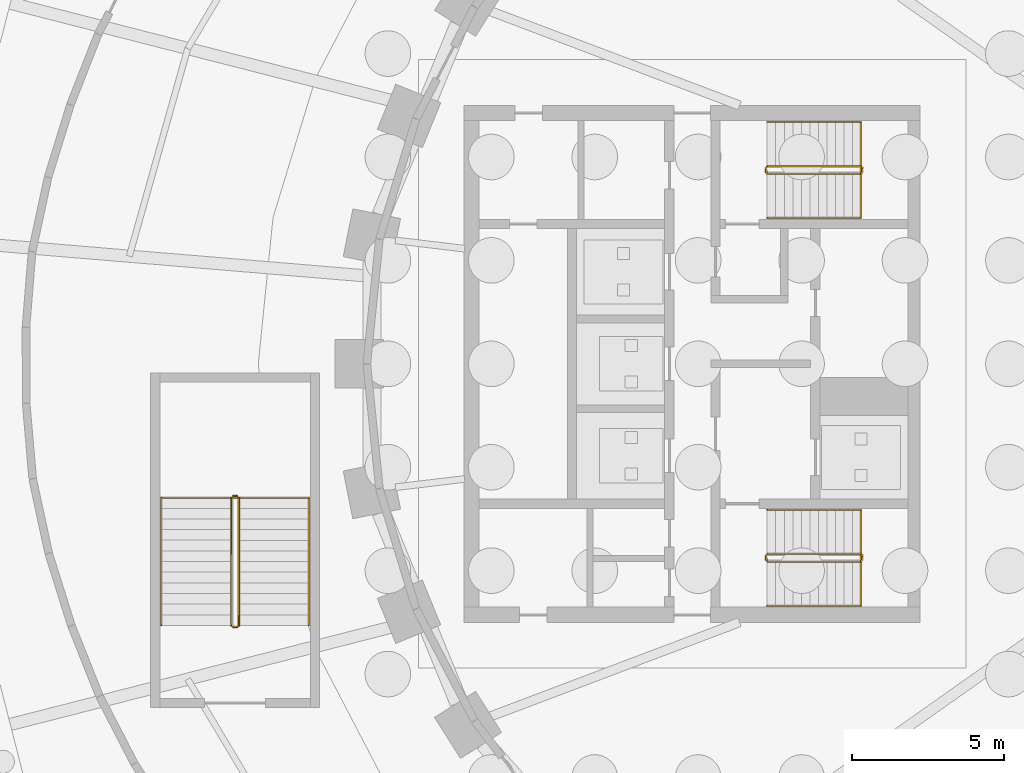
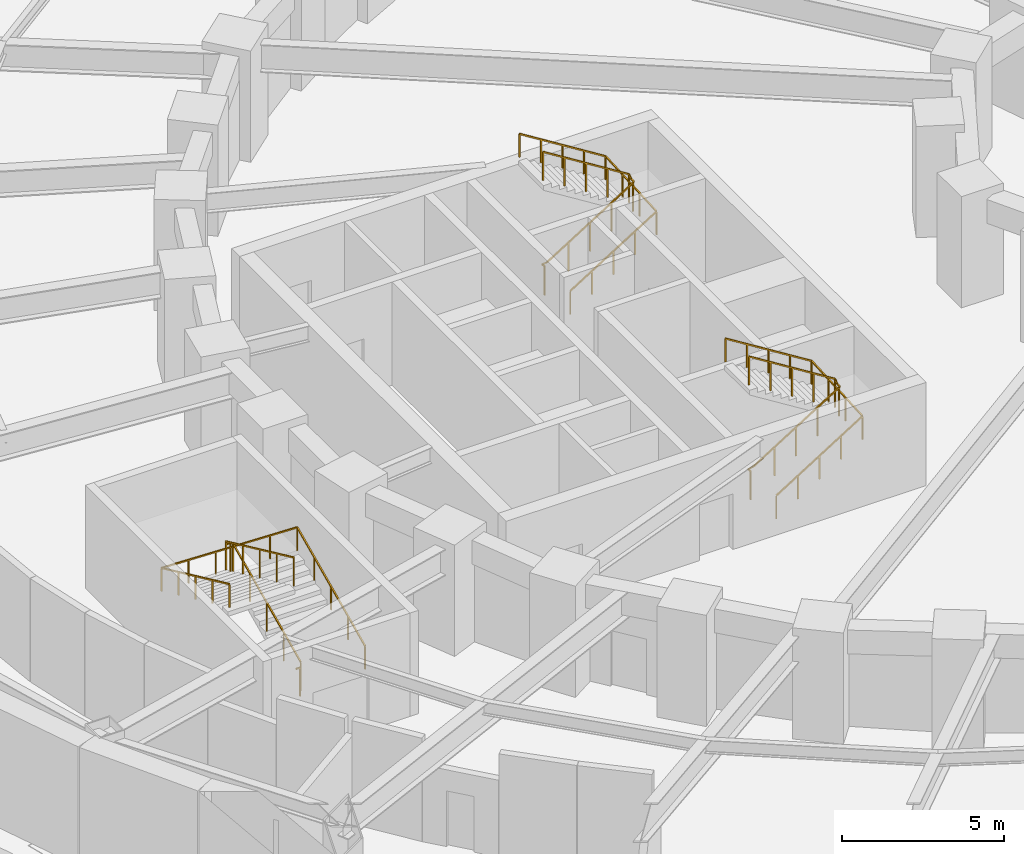
# One storey, part 17 of 19: 9 railings.
"""IFC4 building model written with IfcOpenShell, lengths in metres."""

from ifc_helpers import new_model, si_unit, direction, frame, origin, origin_2d, place, context, subcontext, project, spatial, rectangle, extrude, material, type_object, element, save


model = new_model("IFC4")

# Units and contexts
model_context = context("Model", 3, precision=1e-05, world=origin(), true_north=direction((0.0, 1.0)))
body_context = subcontext(model_context, "Body", "Model", "MODEL_VIEW")
ifc_project = project(units=[si_unit("LENGTHUNIT", "METRE"), si_unit("AREAUNIT", "SQUARE_METRE"), si_unit("VOLUMEUNIT", "CUBIC_METRE"), si_unit("PLANEANGLEUNIT", "RADIAN"), si_unit("MASSUNIT", "GRAM", prefix="KILO")], contexts=[model_context])

# Site, building, storey
site_placement = place(None, origin())
site = spatial("IfcSite", under=ifc_project, at=site_placement, CompositionType="ELEMENT")
building_placement = place(site_placement, origin())
building = spatial("IfcBuilding", under=site, at=building_placement, Name="Noorbagh Ring Tower", CompositionType="ELEMENT")
storey_placement = place(building_placement, frame((0.0, 0.0, -8.39990234375)))
storey = spatial("IfcBuildingStorey", under=building, at=storey_placement, Name="B2", CompositionType="ELEMENT", Elevation=-8.39990234375)

# Railings
ifc_material_1 = material(Name="Stainless steel", Category="steel")
railing_type_1 = type_object("IfcRailingType", Name="CORE-STAIR-GUARD", PredefinedType="GUARDRAIL", material=ifc_material_1)
railing_1_placement = place(storey_placement, frame((-21.580078125, 6.300048828125, 0.0)))
element("IfcRailing", 1, at=railing_1_placement, inside=storey, type_object=railing_type_1, Name="B2 ST1 stair guard", PredefinedType="GUARDRAIL", context=body_context, shape_type="SweptSolid", body=[
    extrude(rectangle(XDim=0.048095703125, YDim=0.048095703125, at=origin_2d()), frame((0.0, 0.0, 1.076171875), z_axis=(0.0, 1.0, 0.0), x_axis=(-1.0, 0.0, 0.0)), (0.0, 0.0, 1.0), 0.14990234375),
    extrude(rectangle(XDim=0.048095703125, YDim=0.048095703125, at=origin_2d()), frame((0.0, 0.14990234375, 1.076171875), z_axis=(0.185185714094, -0.73983951143, 0.646794981909), x_axis=(0.970072785993, 0.242814311512, 0.0)), (0.0, 0.0, 1.0), 0.270263671875),
    extrude(rectangle(XDim=0.048095703125, YDim=0.048095703125, at=origin_2d()), frame((0.050048828125, -0.050048828125, 1.2509765625), z_axis=(0.847998304005, 0.0, 0.529998940003), x_axis=(0.0, 1.0, 0.0)), (0.0, 0.0, 1.0), 3.632080078125),
    extrude(rectangle(XDim=0.048095703125, YDim=0.048095703125, at=origin_2d()), frame((3.130126953125, -0.050048828125, 3.17578125), z_axis=(0.707106781187, 0.707106781187, 0.0), x_axis=(-0.707106781187, 0.707106781187, 0.0)), (0.0, 0.0, 1.0), 0.07080078125),
    extrude(rectangle(XDim=0.048095703125, YDim=0.048095703125, at=origin_2d()), frame((3.18017578125, 0.0, 3.17578125), z_axis=(0.0, 1.0, 0.0), x_axis=(-1.0, 0.0, 0.0)), (0.0, 0.0, 1.0), 0.14990234375),
    extrude(rectangle(XDim=0.048095703125, YDim=0.048095703125, at=origin_2d()), frame((3.18017578125, 0.14990234375, 3.17578125), z_axis=(-0.265065253269, 0.265065253269, 0.927081885822), x_axis=(-0.707106781187, -0.707106781187, 0.0)), (0.0, 0.0, 1.0), 0.188720703125),
    extrude(rectangle(XDim=0.048095703125, YDim=0.048095703125, at=origin_2d()), frame((3.130126953125, 0.199951171875, 3.35107421875), z_axis=(-0.847998304005, 0.0, 0.529998940003), x_axis=(0.0, -1.0, 0.0)), (0.0, 0.0, 1.0), 3.632080078125),
    extrude(rectangle(XDim=0.0419921875, YDim=0.0419921875, at=origin_2d()), origin(), (0.0, 0.0, 1.0), 1.052001953125),
    extrude(rectangle(XDim=0.0419921875, YDim=0.0419921875, at=origin_2d()), frame((0.820068359375, -0.050048828125, 0.656005859375)), (0.0, 0.0, 1.0), 1.052001953125),
    extrude(rectangle(XDim=0.0419921875, YDim=0.0419921875, at=origin_2d()), frame((1.590087890625, -0.050048828125, 1.13720703125)), (0.0, 0.0, 1.0), 1.052001953125),
    extrude(rectangle(XDim=0.0419921875, YDim=0.0419921875, at=origin_2d()), frame((2.360107421875, -0.050048828125, 1.61865234375)), (0.0, 0.0, 1.0), 1.052001953125),
    extrude(rectangle(XDim=0.0419921875, YDim=0.0419921875, at=origin_2d()), frame((3.130126953125, -0.050048828125, 2.099853515625)), (0.0, 0.0, 1.0), 1.052001953125),
    extrude(rectangle(XDim=0.0419921875, YDim=0.0419921875, at=origin_2d()), frame((3.130126953125, 0.199951171875, 2.27490234375)), (0.0, 0.0, 1.0), 1.052001953125),
    extrude(rectangle(XDim=0.0419921875, YDim=0.0419921875, at=origin_2d()), frame((2.360107421875, 0.199951171875, 2.756103515625)), (0.0, 0.0, 1.0), 1.052001953125),
    extrude(rectangle(XDim=0.0419921875, YDim=0.0419921875, at=origin_2d()), frame((1.590087890625, 0.199951171875, 3.2373046875)), (0.0, 0.0, 1.0), 1.052001953125),
    extrude(rectangle(XDim=0.0419921875, YDim=0.0419921875, at=origin_2d()), frame((0.820068359375, 0.199951171875, 3.71875)), (0.0, 0.0, 1.0), 1.052001953125),
    extrude(rectangle(XDim=0.0419921875, YDim=0.0419921875, at=origin_2d()), frame((0.050048828125, 0.199951171875, 4.199951171875)), (0.0, 0.0, 1.0), 1.052001953125),
])
railing_2_placement = place(storey_placement, frame((-21.580078125, -6.449951171875, 0.0)))
element("IfcRailing", 2, at=railing_2_placement, inside=storey, type_object=railing_type_1, Name="B2 ST2 stair guard", PredefinedType="GUARDRAIL", context=body_context, shape_type="SweptSolid", body=[
    extrude(rectangle(XDim=0.048095703125, YDim=0.048095703125, at=origin_2d()), frame((0.0, 0.0, 1.076171875), z_axis=(0.0, 1.0, 0.0), x_axis=(-1.0, 0.0, 0.0)), (0.0, 0.0, 1.0), 0.14990234375),
    extrude(rectangle(XDim=0.048095703125, YDim=0.048095703125, at=origin_2d()), frame((0.0, 0.14990234375, 1.076171875), z_axis=(0.185185714094, -0.73983951143, 0.646794981909), x_axis=(0.970072785993, 0.242814311512, 0.0)), (0.0, 0.0, 1.0), 0.270263671875),
    extrude(rectangle(XDim=0.048095703125, YDim=0.048095703125, at=origin_2d()), frame((0.050048828125, -0.050048828125, 1.2509765625), z_axis=(0.847998304005, 0.0, 0.529998940003), x_axis=(0.0, 1.0, 0.0)), (0.0, 0.0, 1.0), 3.632080078125),
    extrude(rectangle(XDim=0.048095703125, YDim=0.048095703125, at=origin_2d()), frame((3.130126953125, -0.050048828125, 3.17578125), z_axis=(0.707106781187, 0.707106781187, 0.0), x_axis=(-0.707106781187, 0.707106781187, 0.0)), (0.0, 0.0, 1.0), 0.07080078125),
    extrude(rectangle(XDim=0.048095703125, YDim=0.048095703125, at=origin_2d()), frame((3.18017578125, 0.0, 3.17578125), z_axis=(0.0, 1.0, 0.0), x_axis=(-1.0, 0.0, 0.0)), (0.0, 0.0, 1.0), 0.14990234375),
    extrude(rectangle(XDim=0.048095703125, YDim=0.048095703125, at=origin_2d()), frame((3.18017578125, 0.14990234375, 3.17578125), z_axis=(-0.265065253269, 0.265065253269, 0.927081885822), x_axis=(-0.707106781187, -0.707106781187, 0.0)), (0.0, 0.0, 1.0), 0.188720703125),
    extrude(rectangle(XDim=0.048095703125, YDim=0.048095703125, at=origin_2d()), frame((3.130126953125, 0.199951171875, 3.35107421875), z_axis=(-0.847998304005, 0.0, 0.529998940003), x_axis=(0.0, -1.0, 0.0)), (0.0, 0.0, 1.0), 3.632080078125),
    extrude(rectangle(XDim=0.0419921875, YDim=0.0419921875, at=origin_2d()), origin(), (0.0, 0.0, 1.0), 1.052001953125),
    extrude(rectangle(XDim=0.0419921875, YDim=0.0419921875, at=origin_2d()), frame((0.820068359375, -0.050048828125, 0.656005859375)), (0.0, 0.0, 1.0), 1.052001953125),
    extrude(rectangle(XDim=0.0419921875, YDim=0.0419921875, at=origin_2d()), frame((1.590087890625, -0.050048828125, 1.13720703125)), (0.0, 0.0, 1.0), 1.052001953125),
    extrude(rectangle(XDim=0.0419921875, YDim=0.0419921875, at=origin_2d()), frame((2.360107421875, -0.050048828125, 1.61865234375)), (0.0, 0.0, 1.0), 1.052001953125),
    extrude(rectangle(XDim=0.0419921875, YDim=0.0419921875, at=origin_2d()), frame((3.130126953125, -0.050048828125, 2.099853515625)), (0.0, 0.0, 1.0), 1.052001953125),
    extrude(rectangle(XDim=0.0419921875, YDim=0.0419921875, at=origin_2d()), frame((3.130126953125, 0.199951171875, 2.27490234375)), (0.0, 0.0, 1.0), 1.052001953125),
    extrude(rectangle(XDim=0.0419921875, YDim=0.0419921875, at=origin_2d()), frame((2.360107421875, 0.199951171875, 2.756103515625)), (0.0, 0.0, 1.0), 1.052001953125),
    extrude(rectangle(XDim=0.0419921875, YDim=0.0419921875, at=origin_2d()), frame((1.590087890625, 0.199951171875, 3.2373046875)), (0.0, 0.0, 1.0), 1.052001953125),
    extrude(rectangle(XDim=0.0419921875, YDim=0.0419921875, at=origin_2d()), frame((0.820068359375, 0.199951171875, 3.71875)), (0.0, 0.0, 1.0), 1.052001953125),
    extrude(rectangle(XDim=0.0419921875, YDim=0.0419921875, at=origin_2d()), frame((0.050048828125, 0.199951171875, 4.199951171875)), (0.0, 0.0, 1.0), 1.052001953125),
])
ifc_material_2 = material(Name="Stainless steel", Category="steel")
railing_type_2 = type_object("IfcRailingType", Name="CORE-STAIR-HANDRAIL", PredefinedType="HANDRAIL", material=ifc_material_2)
railing_3_placement = place(storey_placement, frame((-21.530029296875, 4.800048828125, 0.1748046875)))
element("IfcRailing", 3, at=railing_3_placement, inside=storey, type_object=railing_type_2, Name="B2 ST1 stair handrail", PredefinedType="HANDRAIL", context=body_context, shape_type="SweptSolid", body=[
    extrude(rectangle(XDim=0.048095703125, YDim=0.048095703125, at=origin_2d()), frame((0.0, 0.0, 0.8759765625), z_axis=(0.847998304005, 0.0, 0.529998940003), x_axis=(0.0, 1.0, 0.0)), (0.0, 0.0, 1.0), 3.632080078125),
    extrude(rectangle(XDim=0.048095703125, YDim=0.048095703125, at=origin_2d()), frame((3.080078125, 0.0, 2.80078125), z_axis=(0.0, 0.998459400591, 0.055487164023), x_axis=(-1.0, 0.0, 0.0)), (0.0, 0.0, 1.0), 3.15478515625),
    extrude(rectangle(XDim=0.048095703125, YDim=0.048095703125, at=origin_2d()), frame((3.080078125, 3.14990234375, 2.97607421875), z_axis=(-0.847998304005, 0.0, 0.529998940003), x_axis=(0.0, -1.0, 0.0)), (0.0, 0.0, 1.0), 3.632080078125),
    extrude(rectangle(XDim=0.0419921875, YDim=0.0419921875, at=origin_2d()), origin(), (0.0, 0.0, 1.0), 0.851806640625),
    extrude(rectangle(XDim=0.0419921875, YDim=0.0419921875, at=origin_2d()), frame((0.77001953125, 0.0, 0.481201171875)), (0.0, 0.0, 1.0), 0.851806640625),
    extrude(rectangle(XDim=0.0419921875, YDim=0.0419921875, at=origin_2d()), frame((1.5400390625, 0.0, 0.96240234375)), (0.0, 0.0, 1.0), 0.851806640625),
    extrude(rectangle(XDim=0.0419921875, YDim=0.0419921875, at=origin_2d()), frame((2.31005859375, 0.0, 1.44384765625)), (0.0, 0.0, 1.0), 0.851806640625),
    extrude(rectangle(XDim=0.0419921875, YDim=0.0419921875, at=origin_2d()), frame((3.080078125, 0.0, 1.925048828125)), (0.0, 0.0, 1.0), 0.851806640625),
    extrude(rectangle(XDim=0.0419921875, YDim=0.0419921875, at=origin_2d()), frame((3.080078125, 1.050048828125, 1.9833984375)), (0.0, 0.0, 1.0), 0.851806640625),
    extrude(rectangle(XDim=0.0419921875, YDim=0.0419921875, at=origin_2d()), frame((3.080078125, 2.099853515625, 2.041748046875)), (0.0, 0.0, 1.0), 0.851806640625),
    extrude(rectangle(XDim=0.0419921875, YDim=0.0419921875, at=origin_2d()), frame((3.080078125, 3.14990234375, 2.10009765625)), (0.0, 0.0, 1.0), 0.851806640625),
    extrude(rectangle(XDim=0.0419921875, YDim=0.0419921875, at=origin_2d()), frame((2.31005859375, 3.14990234375, 2.581298828125)), (0.0, 0.0, 1.0), 0.851806640625),
    extrude(rectangle(XDim=0.0419921875, YDim=0.0419921875, at=origin_2d()), frame((1.5400390625, 3.14990234375, 3.0625)), (0.0, 0.0, 1.0), 0.851806640625),
    extrude(rectangle(XDim=0.0419921875, YDim=0.0419921875, at=origin_2d()), frame((0.77001953125, 3.14990234375, 3.5439453125)), (0.0, 0.0, 1.0), 0.851806640625),
    extrude(rectangle(XDim=0.0419921875, YDim=0.0419921875, at=origin_2d()), frame((0.0, 3.14990234375, 4.025146484375)), (0.0, 0.0, 1.0), 0.851806640625),
])
railing_4_placement = place(storey_placement, frame((-21.530029296875, -7.949951171875, 0.1748046875)))
element("IfcRailing", 4, at=railing_4_placement, inside=storey, type_object=railing_type_2, Name="B2 ST2 stair handrail", PredefinedType="HANDRAIL", context=body_context, shape_type="SweptSolid", body=[
    extrude(rectangle(XDim=0.048095703125, YDim=0.048095703125, at=origin_2d()), frame((0.0, 0.0, 0.8759765625), z_axis=(0.847998304005, 0.0, 0.529998940003), x_axis=(0.0, 1.0, 0.0)), (0.0, 0.0, 1.0), 3.632080078125),
    extrude(rectangle(XDim=0.048095703125, YDim=0.048095703125, at=origin_2d()), frame((3.080078125, 0.0, 2.80078125), z_axis=(0.0, 0.998459400591, 0.055487164023), x_axis=(-1.0, 0.0, 0.0)), (0.0, 0.0, 1.0), 3.15478515625),
    extrude(rectangle(XDim=0.048095703125, YDim=0.048095703125, at=origin_2d()), frame((3.080078125, 3.14990234375, 2.97607421875), z_axis=(-0.847998304005, 0.0, 0.529998940003), x_axis=(0.0, -1.0, 0.0)), (0.0, 0.0, 1.0), 3.632080078125),
    extrude(rectangle(XDim=0.0419921875, YDim=0.0419921875, at=origin_2d()), origin(), (0.0, 0.0, 1.0), 0.851806640625),
    extrude(rectangle(XDim=0.0419921875, YDim=0.0419921875, at=origin_2d()), frame((0.77001953125, 0.0, 0.481201171875)), (0.0, 0.0, 1.0), 0.851806640625),
    extrude(rectangle(XDim=0.0419921875, YDim=0.0419921875, at=origin_2d()), frame((1.5400390625, 0.0, 0.96240234375)), (0.0, 0.0, 1.0), 0.851806640625),
    extrude(rectangle(XDim=0.0419921875, YDim=0.0419921875, at=origin_2d()), frame((2.31005859375, 0.0, 1.44384765625)), (0.0, 0.0, 1.0), 0.851806640625),
    extrude(rectangle(XDim=0.0419921875, YDim=0.0419921875, at=origin_2d()), frame((3.080078125, 0.0, 1.925048828125)), (0.0, 0.0, 1.0), 0.851806640625),
    extrude(rectangle(XDim=0.0419921875, YDim=0.0419921875, at=origin_2d()), frame((3.080078125, 1.050048828125, 1.9833984375)), (0.0, 0.0, 1.0), 0.851806640625),
    extrude(rectangle(XDim=0.0419921875, YDim=0.0419921875, at=origin_2d()), frame((3.080078125, 2.099853515625, 2.041748046875)), (0.0, 0.0, 1.0), 0.851806640625),
    extrude(rectangle(XDim=0.0419921875, YDim=0.0419921875, at=origin_2d()), frame((3.080078125, 3.14990234375, 2.10009765625)), (0.0, 0.0, 1.0), 0.851806640625),
    extrude(rectangle(XDim=0.0419921875, YDim=0.0419921875, at=origin_2d()), frame((2.31005859375, 3.14990234375, 2.581298828125)), (0.0, 0.0, 1.0), 0.851806640625),
    extrude(rectangle(XDim=0.0419921875, YDim=0.0419921875, at=origin_2d()), frame((1.5400390625, 3.14990234375, 3.0625)), (0.0, 0.0, 1.0), 0.851806640625),
    extrude(rectangle(XDim=0.0419921875, YDim=0.0419921875, at=origin_2d()), frame((0.77001953125, 3.14990234375, 3.5439453125)), (0.0, 0.0, 1.0), 0.851806640625),
    extrude(rectangle(XDim=0.0419921875, YDim=0.0419921875, at=origin_2d()), frame((0.0, 3.14990234375, 4.025146484375)), (0.0, 0.0, 1.0), 0.851806640625),
])
ifc_material_3 = material(Name="Stainless steel", Category="steel")
railing_type_3 = type_object("IfcRailingType", Name="GND-STAIR-GUARD", PredefinedType="GUARDRAIL", material=ifc_material_3)
railing_5_placement = place(storey_placement, frame((-38.89990234375, -8.60009765625, 0.161376953125)))
element("IfcRailing", 5, at=railing_5_placement, inside=storey, type_object=railing_type_3, Name="B2 ST-P1 stair guard", PredefinedType="GUARDRAIL", context=body_context, shape_type="SweptSolid", body=[
    extrude(rectangle(XDim=0.048095703125, YDim=0.048095703125, at=origin_2d()), frame((0.0, 0.0, 1.076171875), z_axis=(0.0, 0.907965563105, 0.419044790226), x_axis=(-1.0, 0.0, 0.0)), (0.0, 0.0, 1.0), 4.6259765625),
    extrude(rectangle(XDim=0.0419921875, YDim=0.0419921875, at=origin_2d()), origin(), (0.0, 0.0, 1.0), 1.052001953125),
    extrude(rectangle(XDim=0.0419921875, YDim=0.0419921875, at=origin_2d()), frame((0.0, 1.050048828125, 0.484619140625)), (0.0, 0.0, 1.0), 1.052001953125),
    extrude(rectangle(XDim=0.0419921875, YDim=0.0419921875, at=origin_2d()), frame((0.0, 2.10009765625, 0.96923828125)), (0.0, 0.0, 1.0), 1.052001953125),
    extrude(rectangle(XDim=0.0419921875, YDim=0.0419921875, at=origin_2d()), frame((0.0, 3.150146484375, 1.453857421875)), (0.0, 0.0, 1.0), 1.052001953125),
    extrude(rectangle(XDim=0.0419921875, YDim=0.0419921875, at=origin_2d()), frame((0.0, 4.2001953125, 1.9384765625)), (0.0, 0.0, 1.0), 1.052001953125),
])
railing_6_placement = place(storey_placement, frame((-38.949951171875, -4.35009765625, 2.099853515625)))
element("IfcRailing", 6, at=railing_6_placement, inside=storey, type_object=railing_type_3, Name="B2 ST-P1 stair guard", PredefinedType="GUARDRAIL", context=body_context, shape_type="SweptSolid", body=[
    extrude(rectangle(XDim=0.048095703125, YDim=0.048095703125, at=origin_2d()), frame((0.0, 0.0, 1.076171875), z_axis=(-1.0, 0.0, 0.0), x_axis=(0.0, -1.0, 0.0)), (0.0, 0.0, 1.0), 0.150146484375),
    extrude(rectangle(XDim=0.0419921875, YDim=0.0419921875, at=origin_2d()), origin(), (0.0, 0.0, 1.0), 1.052001953125),
])
railing_7_placement = place(storey_placement, frame((-39.14990234375, -4.39990234375, 2.261474609375)))
element("IfcRailing", 7, at=railing_7_placement, inside=storey, type_object=railing_type_3, Name="B2 ST-P1 stair guard", PredefinedType="GUARDRAIL", context=body_context, shape_type="SweptSolid", body=[
    extrude(rectangle(XDim=0.048095703125, YDim=0.048095703125, at=origin_2d()), frame((0.0, 0.0, 1.076171875), z_axis=(0.0, -0.907965563105, 0.419044790226), x_axis=(1.0, 0.0, 0.0)), (0.0, 0.0, 1.0), 4.6259765625),
    extrude(rectangle(XDim=0.0419921875, YDim=0.0419921875, at=origin_2d()), origin(), (0.0, 0.0, 1.0), 1.052001953125),
    extrude(rectangle(XDim=0.0419921875, YDim=0.0419921875, at=origin_2d()), frame((0.0, -1.050048828125, 0.484619140625)), (0.0, 0.0, 1.0), 1.052001953125),
    extrude(rectangle(XDim=0.0419921875, YDim=0.0419921875, at=origin_2d()), frame((0.0, -2.10009765625, 0.96923828125)), (0.0, 0.0, 1.0), 1.052001953125),
    extrude(rectangle(XDim=0.0419921875, YDim=0.0419921875, at=origin_2d()), frame((0.0, -3.150146484375, 1.453857421875)), (0.0, 0.0, 1.0), 1.052001953125),
    extrude(rectangle(XDim=0.0419921875, YDim=0.0419921875, at=origin_2d()), frame((0.0, -4.2001953125, 1.9384765625)), (0.0, 0.0, 1.0), 1.052001953125),
])
railing_8_placement = place(storey_placement, frame((-38.949951171875, -8.64990234375, 0.0)))
element("IfcRailing", 8, at=railing_8_placement, inside=storey, type_object=railing_type_3, Name="B2 ST-P1 stair guard", PredefinedType="GUARDRAIL", context=body_context, shape_type="SweptSolid", body=[
    extrude(rectangle(XDim=0.048095703125, YDim=0.048095703125, at=origin_2d()), frame((0.0, 0.0, 1.076171875), z_axis=(-1.0, 0.0, 0.0), x_axis=(0.0, -1.0, 0.0)), (0.0, 0.0, 1.0), 0.150146484375),
    extrude(rectangle(XDim=0.0419921875, YDim=0.0419921875, at=origin_2d()), origin(), (0.0, 0.0, 1.0), 1.052001953125),
])
ifc_material_4 = material(Name="Stainless steel", Category="steel")
railing_type_4 = type_object("IfcRailingType", Name="GND-STAIR-HANDRAIL", PredefinedType="HANDRAIL", material=ifc_material_4)
railing_9_placement = place(storey_placement, frame((-36.60009765625, -8.60009765625, 0.161376953125)))
element("IfcRailing", 9, at=railing_9_placement, inside=storey, type_object=railing_type_4, Name="B2 ST-P1 stair handrail", PredefinedType="HANDRAIL", context=body_context, shape_type="SweptSolid", body=[
    extrude(rectangle(XDim=0.048095703125, YDim=0.048095703125, at=origin_2d()), frame((0.0, 0.0, 0.8759765625), z_axis=(0.0, 0.907965563105, 0.419044790226), x_axis=(-1.0, 0.0, 0.0)), (0.0, 0.0, 1.0), 4.6259765625),
    extrude(rectangle(XDim=0.048095703125, YDim=0.048095703125, at=origin_2d()), frame((0.0, 4.2001953125, 2.814453125), z_axis=(-0.999445186144, 0.0, 0.033306454227), x_axis=(0.0, -1.0, 0.0)), (0.0, 0.0, 1.0), 4.8525390625),
    extrude(rectangle(XDim=0.048095703125, YDim=0.048095703125, at=origin_2d()), frame((-4.849853515625, 4.2001953125, 2.97607421875), z_axis=(0.0, -0.907965563105, 0.419044790226), x_axis=(1.0, 0.0, 0.0)), (0.0, 0.0, 1.0), 4.6259765625),
    extrude(rectangle(XDim=0.0419921875, YDim=0.0419921875, at=origin_2d()), origin(), (0.0, 0.0, 1.0), 0.851806640625),
    extrude(rectangle(XDim=0.0419921875, YDim=0.0419921875, at=origin_2d()), frame((0.0, 1.050048828125, 0.484619140625)), (0.0, 0.0, 1.0), 0.851806640625),
    extrude(rectangle(XDim=0.0419921875, YDim=0.0419921875, at=origin_2d()), frame((0.0, 2.10009765625, 0.96923828125)), (0.0, 0.0, 1.0), 0.851806640625),
    extrude(rectangle(XDim=0.0419921875, YDim=0.0419921875, at=origin_2d()), frame((0.0, 3.150146484375, 1.453857421875)), (0.0, 0.0, 1.0), 0.851806640625),
    extrude(rectangle(XDim=0.0419921875, YDim=0.0419921875, at=origin_2d()), frame((0.0, 4.2001953125, 1.9384765625)), (0.0, 0.0, 1.0), 0.851806640625),
    extrude(rectangle(XDim=0.0419921875, YDim=0.0419921875, at=origin_2d()), frame((-0.969970703125, 4.2001953125, 1.970703125)), (0.0, 0.0, 1.0), 0.851806640625),
    extrude(rectangle(XDim=0.0419921875, YDim=0.0419921875, at=origin_2d()), frame((-1.93994140625, 4.2001953125, 2.003173828125)), (0.0, 0.0, 1.0), 0.851806640625),
    extrude(rectangle(XDim=0.0419921875, YDim=0.0419921875, at=origin_2d()), frame((-2.909912109375, 4.2001953125, 2.035400390625)), (0.0, 0.0, 1.0), 0.851806640625),
    extrude(rectangle(XDim=0.0419921875, YDim=0.0419921875, at=origin_2d()), frame((-3.8798828125, 4.2001953125, 2.06787109375)), (0.0, 0.0, 1.0), 0.851806640625),
    extrude(rectangle(XDim=0.0419921875, YDim=0.0419921875, at=origin_2d()), frame((-4.849853515625, 4.2001953125, 2.10009765625)), (0.0, 0.0, 1.0), 0.851806640625),
    extrude(rectangle(XDim=0.0419921875, YDim=0.0419921875, at=origin_2d()), frame((-4.849853515625, 3.150146484375, 2.584716796875)), (0.0, 0.0, 1.0), 0.851806640625),
    extrude(rectangle(XDim=0.0419921875, YDim=0.0419921875, at=origin_2d()), frame((-4.849853515625, 2.10009765625, 3.0693359375)), (0.0, 0.0, 1.0), 0.851806640625),
    extrude(rectangle(XDim=0.0419921875, YDim=0.0419921875, at=origin_2d()), frame((-4.849853515625, 1.050048828125, 3.553955078125)), (0.0, 0.0, 1.0), 0.851806640625),
    extrude(rectangle(XDim=0.0419921875, YDim=0.0419921875, at=origin_2d()), frame((-4.849853515625, 0.0, 4.03857421875)), (0.0, 0.0, 1.0), 0.851806640625),
])

save(model, "model.ifc")
